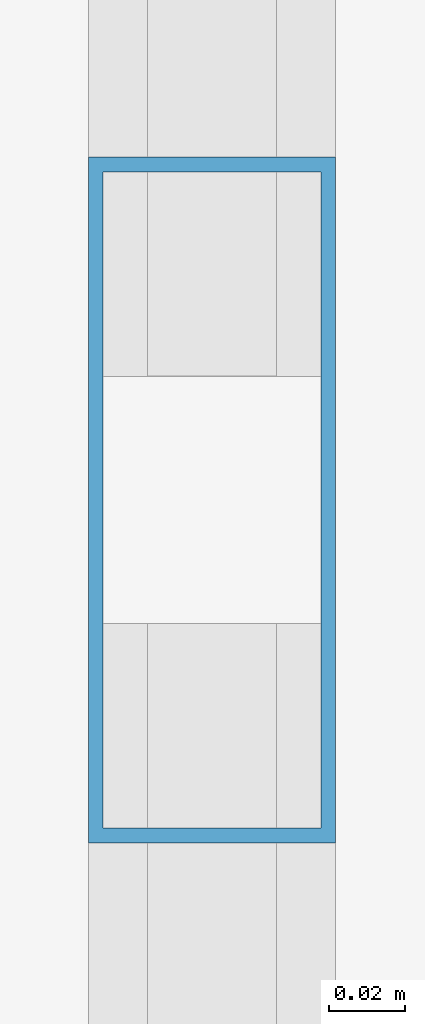
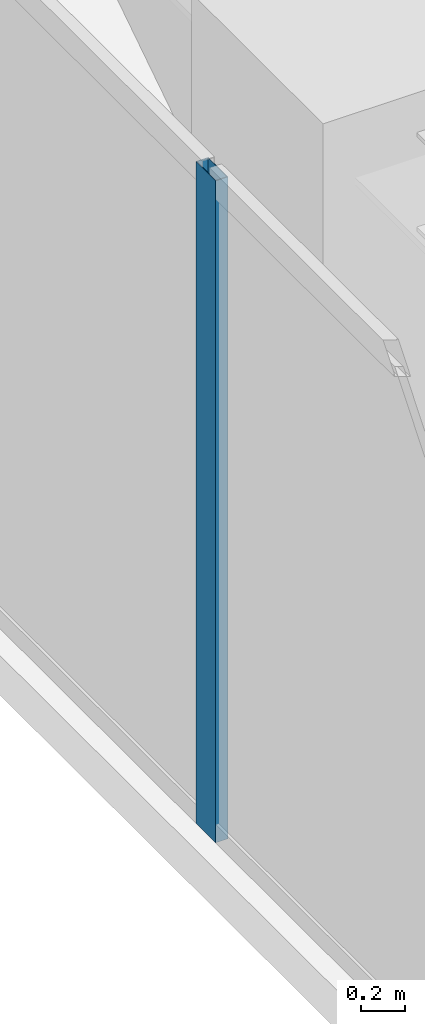
# One storey, part 13 of 30: 1 member, 1 element without a shape of its own.
"""IFC4 building model written with IfcOpenShell, lengths in metres."""

from ifc_helpers import new_model, si_unit, direction, frame, origin, origin_2d, place, context, subcontext, project, spatial, hollow_rectangle, extrude, material, layer, layer_set, material_profile, profile_set, type_object, element, aggregate, save


model = new_model("IFC4")

# Units and contexts
model_context = context("Model", 3, precision=1e-05, world=origin(), true_north=direction((0.0, 1.0)))
body_context = subcontext(model_context, "Body", "Model", "MODEL_VIEW")
ifc_project = project(units=[si_unit("LENGTHUNIT", "METRE"), si_unit("AREAUNIT", "SQUARE_METRE"), si_unit("VOLUMEUNIT", "CUBIC_METRE"), si_unit("PLANEANGLEUNIT", "RADIAN"), si_unit("MASSUNIT", "GRAM", prefix="KILO")], contexts=[model_context])

# Site, building, storey
site_placement = place(None, origin())
site = spatial("IfcSite", under=ifc_project, at=site_placement, CompositionType="ELEMENT")
building_placement = place(site_placement, origin())
building = spatial("IfcBuilding", under=site, at=building_placement, Name="Kiyonajd Concourse Tower", CompositionType="ELEMENT")
storey_placement = place(building_placement, frame((0.0, 0.0, 194.10009765625)))
storey = spatial("IfcBuildingStorey", under=building, at=storey_placement, Name="L49", CompositionType="ELEMENT", Elevation=194.10009765625)

# Curtain wall, member
ifc_material = material(Name="Thermally Broken Anodised Aluminium", Category="aluminium")
ifc_layer = layer(ifc_material, 0.179931640625)
ifc_layer_set = layer_set([ifc_layer], Name="Thermally Broken Anodised Aluminium")
curtain_wall_type = type_object("IfcCurtainWallType", Name="CW-SYS-03", PredefinedType="NOTDEFINED", material=ifc_layer_set)
curtain_wall_placement = place(storey_placement, origin())
curtain_wall = element("IfcCurtainWall", 1, at=curtain_wall_placement, inside=storey, type_object=curtain_wall_type, Name="L49 Unitised Curtain Wall CW3", PredefinedType="NOTDEFINED")
ifc_material_profile = material_profile(ifc_material, hollow_rectangle(XDim=0.06494140625, YDim=0.179931640625, WallThickness=0.00390625, at=origin_2d()), Name="MULL-65x180")
ifc_profile_set = profile_set([ifc_material_profile], Name="Thermally Broken Anodised Aluminium")
member_type = type_object("IfcMemberType", Name="MB-CW-MULL1", PredefinedType="MULLION", material=ifc_profile_set)
member_placement = place(storey_placement, frame((18.139892578125, 53.0146484375, 0.0), z_axis=(0.0, 0.0, 1.0), x_axis=(-1.0, 0.0, 0.0)))
member = element("IfcMember", 2, at=member_placement, type_object=member_type, Name="CW3 mullion 6", PredefinedType="MULLION", context=body_context, shape_type="SweptSolid", body=[
    extrude(hollow_rectangle(XDim=0.06494140625, YDim=0.179931640625, WallThickness=0.00390625, at=origin_2d()), origin(), (0.0, 0.0, 1.0), 3.679931640625),
])
aggregate(curtain_wall, [member])

save(model, "model.ifc")
